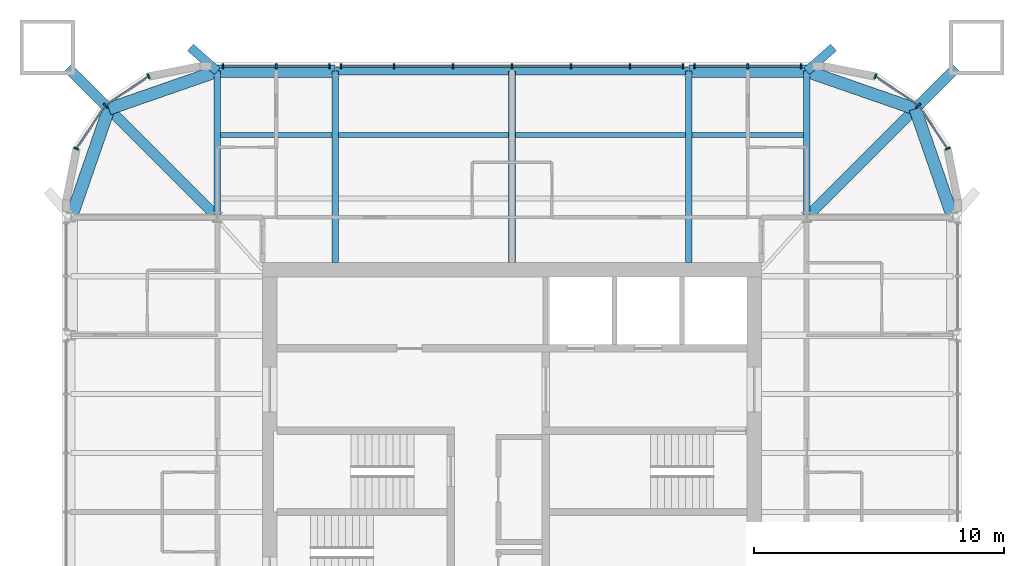
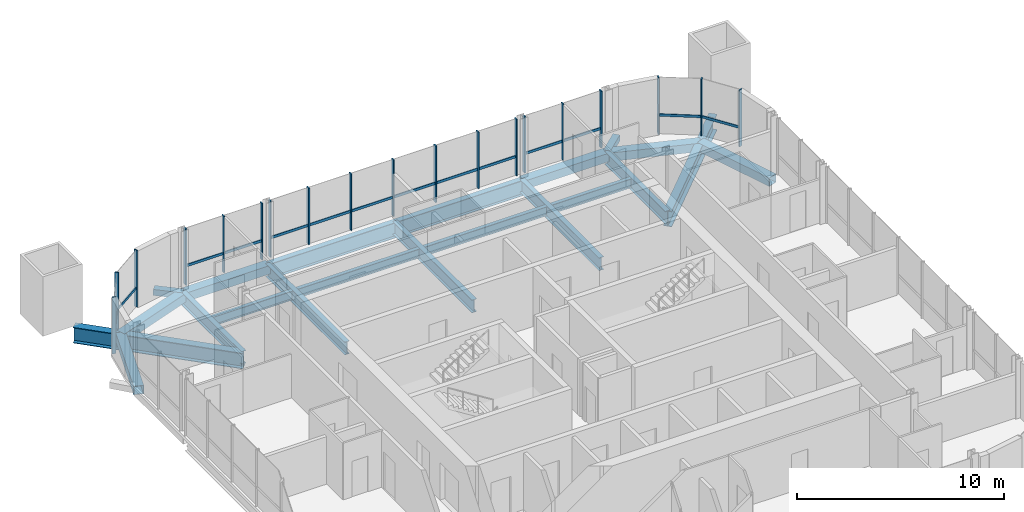
# One storey, part 5 of 12: 33 members, 20 beams, 5 elements without a shape of their own.
"""IFC4 building model written with IfcOpenShell, lengths in metres."""

from ifc_helpers import new_model, si_unit, direction, frame, origin, origin_2d, place, context, subcontext, project, spatial, rectangle, hollow_rectangle, i_section, extrude, material, material_profile, profile_set, type_object, element, aggregate, save


model = new_model("IFC4")

# Units and contexts
model_context = context("Model", 3, precision=1e-05, world=origin(), true_north=direction((0.0, 1.0)))
body_context = subcontext(model_context, "Body", "Model", "MODEL_VIEW")
ifc_project = project(units=[si_unit("LENGTHUNIT", "METRE"), si_unit("AREAUNIT", "SQUARE_METRE"), si_unit("VOLUMEUNIT", "CUBIC_METRE"), si_unit("PLANEANGLEUNIT", "RADIAN"), si_unit("MASSUNIT", "GRAM", prefix="KILO")], contexts=[model_context])

# Site, building, storey
site_placement = place(None, origin())
site = spatial("IfcSite", under=ifc_project, at=site_placement, CompositionType="ELEMENT")
building_placement = place(site_placement, origin())
building = spatial("IfcBuilding", under=site, at=building_placement, Name="Turquesa Mirador Hotel Tower", CompositionType="ELEMENT")
storey_placement = place(building_placement, frame((0.0, 0.0, 233.699951171875)))
storey = spatial("IfcBuildingStorey", under=building, at=storey_placement, Name="L63", CompositionType="ELEMENT", Elevation=233.699951171875)

# Beams
ifc_material_1 = material(Name="Steel ASTM A572 Grade 50", Category="steel")
ifc_material_profile_1 = material_profile(ifc_material_1, hollow_rectangle(XDim=0.5, YDim=0.5, WallThickness=0.01611328125, at=origin_2d()), Name="BOX500X500X16")
ifc_profile_set_1 = profile_set([ifc_material_profile_1], Name="Steel ASTM A572 Grade 50")
beam_type_1 = type_object("IfcBeamType", Name="BEAM BOX500X500X16", PredefinedType="BEAM", material=ifc_profile_set_1)
for number, where, z_axis, x_axis, name in (
    (1, (43.199951171875, 62.64990234375, -0.419921875), (1.0, 0.0, 0.0), (0.0, 1.0, 0.0), "EB-L63-N-L"),
    (2, (62.080078125, 62.64990234375, -0.419921875), (1.0, 0.0, 0.0), (0.0, 1.0, 0.0), "EB-L63-N-R"),
):
    element("IfcBeam", number, at=place(storey_placement, frame(where, z_axis=z_axis, x_axis=x_axis)), inside=storey, type_object=beam_type_1, Name=name, PredefinedType="BEAM", context=body_context, shape_type="SweptSolid", body=[
        extrude(hollow_rectangle(XDim=0.5, YDim=0.5, WallThickness=0.01611328125, at=origin_2d()), origin(), (0.0, 0.0, 1.0), 4.719970703125),
    ])
for number, where, z_axis, x_axis, name in (
    (3, (72.64990234375, 56.800048828125, -0.419921875), (-0.328170356092, 0.944618556552, 0.0), (-0.944618556552, -0.328170356092, 0.0), "KE-L63-1-0"),
    (4, (71.1416015625, 61.1416015625, -0.419921875), (-0.944618556552, 0.328170356092, 0.0), (-0.328170356092, -0.944618556552, 0.0), "KE-L63-1-1"),
    (5, (37.35009765625, 56.800048828125, -0.419921875), (0.328170356092, 0.944618556552, 0.0), (-0.944618556552, 0.328170356092, 0.0), "KE-L63-2-0"),
    (6, (38.8583984375, 61.1416015625, -0.419921875), (0.944618556552, 0.328170356092, 0.0), (-0.328170356092, 0.944618556552, 0.0), "KE-L63-2-1"),
):
    element("IfcBeam", number, at=place(storey_placement, frame(where, z_axis=z_axis, x_axis=x_axis)), inside=storey, type_object=beam_type_1, Name=name, PredefinedType="BEAM", context=body_context, shape_type="SweptSolid", body=[
        extrude(hollow_rectangle(XDim=0.5, YDim=0.5, WallThickness=0.01611328125, at=origin_2d()), origin(), (0.0, 0.0, 1.0), 4.59619140625),
    ])
ifc_material_2 = material(Name="Steel ASTM A992 Grade 50", Category="steel")
ifc_material_profile_2 = material_profile(ifc_material_2, i_section(OverallWidth=0.209228515625, OverallDepth=0.533447265625, WebThickness=0.01025390625, FlangeThickness=0.015625, at=origin_2d()), Name="W21X62")
ifc_profile_set_2 = profile_set([ifc_material_profile_2], Name="Steel ASTM A992 Grade 50")
beam_type_2 = type_object("IfcBeamType", Name="BEAM W21X62", PredefinedType="BEAM", material=ifc_profile_set_2)
beam_1_placement = place(storey_placement, frame((43.333251953125, 60.10009765625, -0.436767578125), z_axis=(1.0, 0.0, 0.0), x_axis=(0.0, 1.0, 0.0)))
element("IfcBeam", 7, at=beam_1_placement, inside=storey, type_object=beam_type_2, Name="IB-L63-N-2-0", PredefinedType="BEAM", context=body_context, shape_type="SweptSolid", body=[
    extrude(i_section(OverallWidth=0.209228515625, OverallDepth=0.533447265625, WebThickness=0.01025390625, FlangeThickness=0.015625, at=origin_2d()), origin(), (0.0, 0.0, 1.0), 4.453369140625),
])
for number, where, z_axis, x_axis, name in (
    (8, (48.053466796875, 60.10009765625, -0.436767578125), (1.0, 0.0, 0.0), (0.0, 1.0, 0.0), "IB-L63-N-2-1"),
    (9, (55.13330078125, 60.10009765625, -0.436767578125), (1.0, 0.0, 0.0), (0.0, 1.0, 0.0), "IB-L63-N-2-2"),
):
    element("IfcBeam", number, at=place(storey_placement, frame(where, z_axis=z_axis, x_axis=x_axis)), inside=storey, type_object=beam_type_2, Name=name, PredefinedType="BEAM", context=body_context, shape_type="SweptSolid", body=[
        extrude(i_section(OverallWidth=0.209228515625, OverallDepth=0.533447265625, WebThickness=0.01025390625, FlangeThickness=0.015625, at=origin_2d()), origin(), (0.0, 0.0, 1.0), 6.813232421875),
    ])
beam_2_placement = place(storey_placement, frame((62.21337890625, 60.10009765625, -0.436767578125), z_axis=(1.0, 0.0, 0.0), x_axis=(0.0, 1.0, 0.0)))
element("IfcBeam", 10, at=beam_2_placement, inside=storey, type_object=beam_type_2, Name="IB-L63-N-2-3", PredefinedType="BEAM", context=body_context, shape_type="SweptSolid", body=[
    extrude(i_section(OverallWidth=0.209228515625, OverallDepth=0.533447265625, WebThickness=0.01025390625, FlangeThickness=0.015625, at=origin_2d()), origin(), (0.0, 0.0, 1.0), 4.453369140625),
])
ifc_material_3 = material(Name="Steel ASTM A992 Grade 50", Category="steel")
ifc_material_profile_3 = material_profile(ifc_material_3, i_section(OverallWidth=0.2666015625, OverallDepth=0.7568359375, WebThickness=0.013916015625, FlangeThickness=0.019287109375, at=origin_2d()), Name="W30X108")
ifc_profile_set_3 = profile_set([ifc_material_profile_3], Name="Steel ASTM A992 Grade 50")
beam_type_3 = type_object("IfcBeamType", Name="BEAM W30X108", PredefinedType="BEAM", material=ifc_profile_set_3)
for number, where, z_axis, x_axis, name in (
    (11, (47.919921875, 62.64990234375, -0.54833984375), (0.0, -1.0, 0.0), (1.0, 0.0, 0.0), "GD-L63-N--7.08"),
    (12, (62.080078125, 62.64990234375, -0.54833984375), (0.0, -1.0, 0.0), (1.0, 0.0, 0.0), "GD-L63-N-+7.08"),
    (13, (55.0, 62.64990234375, -0.54833984375), (0.0, -1.0, 0.0), (1.0, 0.0, 0.0), "GD-L63-N-+0.00"),
):
    element("IfcBeam", number, at=place(storey_placement, frame(where, z_axis=z_axis, x_axis=x_axis)), inside=storey, type_object=beam_type_3, Name=name, PredefinedType="BEAM", context=body_context, shape_type="SweptSolid", body=[
        extrude(i_section(OverallWidth=0.2666015625, OverallDepth=0.7568359375, WebThickness=0.013916015625, FlangeThickness=0.019287109375, at=origin_2d()), origin(), (0.0, 0.0, 1.0), 7.64990234375),
    ])
for number, where, z_axis, x_axis, name in (
    (14, (43.199951171875, 62.64990234375, -0.54833984375), (0.0, -1.0, 0.0), (1.0, 0.0, 0.0), "GK-L63-N--11.80"),
    (15, (66.800048828125, 62.64990234375, -0.54833984375), (0.0, -1.0, 0.0), (1.0, 0.0, 0.0), "GK-L63-N-+11.80"),
):
    element("IfcBeam", number, at=place(storey_placement, frame(where, z_axis=z_axis, x_axis=x_axis)), inside=storey, type_object=beam_type_3, Name=name, PredefinedType="BEAM", context=body_context, shape_type="SweptSolid", body=[
        extrude(i_section(OverallWidth=0.2666015625, OverallDepth=0.7568359375, WebThickness=0.013916015625, FlangeThickness=0.019287109375, at=origin_2d()), origin(), (0.0, 0.0, 1.0), 5.849853515625),
    ])
ifc_material_4 = material(Name="Steel ASTM A992 Grade 50", Category="steel")
ifc_material_profile_4 = material_profile(ifc_material_4, i_section(OverallWidth=0.3046875, OverallDepth=0.911865234375, WebThickness=0.015869140625, FlangeThickness=0.02392578125, at=origin_2d()), Name="W36X150")
ifc_profile_set_4 = profile_set([ifc_material_profile_4], Name="Steel ASTM A992 Grade 50")
beam_type_4 = type_object("IfcBeamType", Name="BEAM W36X150", PredefinedType="BEAM", material=ifc_profile_set_4)
beam_3_placement = place(storey_placement, frame((47.919921875, 62.64990234375, -0.6259765625), z_axis=(1.0, 0.0, 0.0), x_axis=(0.0, 1.0, 0.0)))
element("IfcBeam", 16, at=beam_3_placement, inside=storey, type_object=beam_type_4, Name="EB-L63-N-C", PredefinedType="BEAM", context=body_context, shape_type="SweptSolid", body=[
    extrude(i_section(OverallWidth=0.3046875, OverallDepth=0.911865234375, WebThickness=0.015869140625, FlangeThickness=0.02392578125, at=origin_2d()), origin(), (0.0, 0.0, 1.0), 14.16015625),
])
ifc_material_5 = material(Name="Steel ASTM A992 Grade 50", Category="steel")
ifc_material_profile_5 = material_profile(ifc_material_5, i_section(OverallWidth=0.419189453125, OverallDepth=0.927001953125, WebThickness=0.019287109375, FlangeThickness=0.031982421875, at=origin_2d()), Name="W36X231")
ifc_profile_set_5 = profile_set([ifc_material_profile_5], Name="Steel ASTM A992 Grade 50")
beam_type_5 = type_object("IfcBeamType", Name="BEAM W36X231", PredefinedType="BEAM", material=ifc_profile_set_5)
for number, where, z_axis, x_axis, name in (
    (17, (66.800048828125, 56.800048828125, -0.633544921875), (0.707106781187, 0.707106781187, 0.0), (-0.707106781187, 0.707106781187, 0.0), "KD-L63-1"),
    (18, (43.199951171875, 56.800048828125, -0.633544921875), (-0.707106781187, 0.707106781187, 0.0), (-0.707106781187, -0.707106781187, 0.0), "KD-L63-2"),
):
    element("IfcBeam", number, at=place(storey_placement, frame(where, z_axis=z_axis, x_axis=x_axis)), inside=storey, type_object=beam_type_5, Name=name, PredefinedType="BEAM", context=body_context, shape_type="SweptSolid", body=[
        extrude(i_section(OverallWidth=0.419189453125, OverallDepth=0.927001953125, WebThickness=0.019287109375, FlangeThickness=0.031982421875, at=origin_2d()), origin(), (0.0, 0.0, 1.0), 8.46240234375),
    ])
ifc_material_6 = material(Name="Steel ASTM A500 Grade C", Category="steel")
ifc_material_profile_6 = material_profile(ifc_material_6, hollow_rectangle(XDim=0.355712890625, YDim=0.355712890625, WallThickness=0.0146484375, at=origin_2d()), Name="HSS14X14X5/8")
ifc_profile_set_6 = profile_set([ifc_material_profile_6], Name="Steel ASTM A500 Grade C")
beam_type_6 = type_object("IfcBeamType", Name="BRACE STRUT HSS14X14X5/8", PredefinedType="BEAM", material=ifc_profile_set_6)
for number, where, z_axis, x_axis, name in (
    (19, (42.123046875, 63.60009765625, -0.34765625), (0.749842816254, -0.661616014704, 0.0), (0.661616014704, 0.749842816254, 0.0), "Brace strut"),
    (20, (67.876953125, 63.60009765625, -0.34765625), (-0.749842816254, -0.661616014704, 0.0), (0.661616014704, -0.749842816254, 0.0), "Brace strut"),
):
    element("IfcBeam", number, at=place(storey_placement, frame(where, z_axis=z_axis, x_axis=x_axis)), inside=storey, type_object=beam_type_6, Name=name, PredefinedType="BEAM", context=body_context, shape_type="SweptSolid", body=[
        extrude(hollow_rectangle(XDim=0.355712890625, YDim=0.355712890625, WallThickness=0.0146484375, at=origin_2d()), origin(), (0.0, 0.0, 1.0), 1.436279296875),
    ])

# Curtain wall, members
ifc_material_7 = material(Name="Aluminium extrusion", Category="aluminium")
curtain_wall_type = type_object("IfcCurtainWallType", Name="CW-4 SUITE FRITTED CURTAIN WALL", PredefinedType="USERDEFINED", material=ifc_material_7)
curtain_wall_1_placement = place(storey_placement, origin())
curtain_wall_1 = element("IfcCurtainWall", 21, at=curtain_wall_1_placement, inside=storey, type_object=curtain_wall_type, Name="CW-4 SUITE FRITTED CURTAIN WALL L63", ObjectType="CURTAIN WALL", PredefinedType="USERDEFINED")
ifc_material_8 = material(Name="Aluminium extrusion", Category="aluminium")
ifc_material_profile_7 = material_profile(ifc_material_8, rectangle(XDim=0.06494140625, YDim=0.199951171875, at=origin_2d()), Name="MULLION 65X200")
ifc_profile_set_7 = profile_set([ifc_material_profile_7], Name="Aluminium extrusion")
member_type_1 = type_object("IfcMemberType", Name="CW MULLION 65X200", PredefinedType="MULLION", material=ifc_profile_set_7)
member_1_placement = place(storey_placement, frame((72.44287109375, 59.54736328125, 0.0), z_axis=(0.0, 0.0, 1.0), x_axis=(-0.382683432365, 0.923879532511, 0.0)))
member_1 = element("IfcMember", 22, at=member_1_placement, type_object=member_type_1, Name="Mullion", PredefinedType="MULLION", context=body_context, shape_type="SweptSolid", body=[
    extrude(rectangle(XDim=0.06494140625, YDim=0.199951171875, at=origin_2d()), origin(), (0.0, 0.0, 1.0), 3.330078125),
])
member_2_placement = place(storey_placement, frame((71.282958984375, 61.282958984375, 0.0), z_axis=(0.0, 0.0, 1.0), x_axis=(-0.707106781187, 0.707106781187, 0.0)))
member_2 = element("IfcMember", 23, at=member_2_placement, type_object=member_type_1, Name="Mullion", PredefinedType="MULLION", context=body_context, shape_type="SweptSolid", body=[
    extrude(rectangle(XDim=0.06494140625, YDim=0.199951171875, at=origin_2d()), origin(), (0.0, 0.0, 1.0), 3.330078125),
])
member_3_placement = place(storey_placement, frame((69.54736328125, 62.44287109375, 0.0), z_axis=(0.0, 0.0, 1.0), x_axis=(-0.923879532511, 0.382683432365, 0.0)))
member_3 = element("IfcMember", 24, at=member_3_placement, type_object=member_type_1, Name="Mullion", PredefinedType="MULLION", context=body_context, shape_type="SweptSolid", body=[
    extrude(rectangle(XDim=0.06494140625, YDim=0.199951171875, at=origin_2d()), origin(), (0.0, 0.0, 1.0), 3.330078125),
])

curtain_wall_2_placement = place(storey_placement, origin())
curtain_wall_2 = element("IfcCurtainWall", 25, at=curtain_wall_2_placement, inside=storey, type_object=curtain_wall_type, Name="CW-4 SUITE FRITTED CURTAIN WALL L63", ObjectType="CURTAIN WALL", PredefinedType="USERDEFINED")
member_4_placement = place(storey_placement, frame((66.566162109375, 62.85009765625, 0.0), z_axis=(0.0, 0.0, 1.0), x_axis=(-1.0, 0.0, 0.0)))
member_4 = element("IfcMember", 26, at=member_4_placement, type_object=member_type_1, Name="Mullion", PredefinedType="MULLION", context=body_context, shape_type="SweptSolid", body=[
    extrude(rectangle(XDim=0.06494140625, YDim=0.199951171875, at=origin_2d()), origin(), (0.0, 0.0, 1.0), 3.330078125),
])
member_5_placement = place(storey_placement, frame((64.43994140625, 62.85009765625, 0.0), z_axis=(0.0, 0.0, 1.0), x_axis=(-1.0, 0.0, 0.0)))
member_5 = element("IfcMember", 27, at=member_5_placement, type_object=member_type_1, Name="Mullion", PredefinedType="MULLION", context=body_context, shape_type="SweptSolid", body=[
    extrude(rectangle(XDim=0.06494140625, YDim=0.199951171875, at=origin_2d()), origin(), (0.0, 0.0, 1.0), 3.330078125),
])
member_6_placement = place(storey_placement, frame((62.31396484375, 62.85009765625, 0.0), z_axis=(0.0, 0.0, 1.0), x_axis=(-1.0, 0.0, 0.0)))
member_6 = element("IfcMember", 28, at=member_6_placement, type_object=member_type_1, Name="Mullion", PredefinedType="MULLION", context=body_context, shape_type="SweptSolid", body=[
    extrude(rectangle(XDim=0.06494140625, YDim=0.199951171875, at=origin_2d()), origin(), (0.0, 0.0, 1.0), 3.330078125),
])

curtain_wall_3_placement = place(storey_placement, origin())
curtain_wall_3 = element("IfcCurtainWall", 29, at=curtain_wall_3_placement, inside=storey, type_object=curtain_wall_type, Name="CW-4 SUITE FRITTED CURTAIN WALL L63", ObjectType="CURTAIN WALL", PredefinedType="USERDEFINED")
member_7_placement = place(storey_placement, frame((61.84619140625, 62.85009765625, 0.0), z_axis=(0.0, 0.0, 1.0), x_axis=(-1.0, 0.0, 0.0)))
member_7 = element("IfcMember", 30, at=member_7_placement, type_object=member_type_1, Name="Mullion", PredefinedType="MULLION", context=body_context, shape_type="SweptSolid", body=[
    extrude(rectangle(XDim=0.06494140625, YDim=0.199951171875, at=origin_2d()), origin(), (0.0, 0.0, 1.0), 3.330078125),
])
member_8_placement = place(storey_placement, frame((59.719970703125, 62.85009765625, 0.0), z_axis=(0.0, 0.0, 1.0), x_axis=(-1.0, 0.0, 0.0)))
member_8 = element("IfcMember", 31, at=member_8_placement, type_object=member_type_1, Name="Mullion", PredefinedType="MULLION", context=body_context, shape_type="SweptSolid", body=[
    extrude(rectangle(XDim=0.06494140625, YDim=0.199951171875, at=origin_2d()), origin(), (0.0, 0.0, 1.0), 3.330078125),
])
member_9_placement = place(storey_placement, frame((57.360107421875, 62.85009765625, 0.0), z_axis=(0.0, 0.0, 1.0), x_axis=(-1.0, 0.0, 0.0)))
member_9 = element("IfcMember", 32, at=member_9_placement, type_object=member_type_1, Name="Mullion", PredefinedType="MULLION", context=body_context, shape_type="SweptSolid", body=[
    extrude(rectangle(XDim=0.06494140625, YDim=0.199951171875, at=origin_2d()), origin(), (0.0, 0.0, 1.0), 3.330078125),
])
member_10_placement = place(storey_placement, frame((55.0, 62.85009765625, 0.0), z_axis=(0.0, 0.0, 1.0), x_axis=(-1.0, 0.0, 0.0)))
member_10 = element("IfcMember", 33, at=member_10_placement, type_object=member_type_1, Name="Mullion", PredefinedType="MULLION", context=body_context, shape_type="SweptSolid", body=[
    extrude(rectangle(XDim=0.06494140625, YDim=0.199951171875, at=origin_2d()), origin(), (0.0, 0.0, 1.0), 3.330078125),
])
member_11_placement = place(storey_placement, frame((52.639892578125, 62.85009765625, 0.0), z_axis=(0.0, 0.0, 1.0), x_axis=(-1.0, 0.0, 0.0)))
member_11 = element("IfcMember", 34, at=member_11_placement, type_object=member_type_1, Name="Mullion", PredefinedType="MULLION", context=body_context, shape_type="SweptSolid", body=[
    extrude(rectangle(XDim=0.06494140625, YDim=0.199951171875, at=origin_2d()), origin(), (0.0, 0.0, 1.0), 3.330078125),
])
member_12_placement = place(storey_placement, frame((50.280029296875, 62.85009765625, 0.0), z_axis=(0.0, 0.0, 1.0), x_axis=(-1.0, 0.0, 0.0)))
member_12 = element("IfcMember", 35, at=member_12_placement, type_object=member_type_1, Name="Mullion", PredefinedType="MULLION", context=body_context, shape_type="SweptSolid", body=[
    extrude(rectangle(XDim=0.06494140625, YDim=0.199951171875, at=origin_2d()), origin(), (0.0, 0.0, 1.0), 3.330078125),
])
member_13_placement = place(storey_placement, frame((48.15380859375, 62.85009765625, 0.0), z_axis=(0.0, 0.0, 1.0), x_axis=(-1.0, 0.0, 0.0)))
member_13 = element("IfcMember", 36, at=member_13_placement, type_object=member_type_1, Name="Mullion", PredefinedType="MULLION", context=body_context, shape_type="SweptSolid", body=[
    extrude(rectangle(XDim=0.06494140625, YDim=0.199951171875, at=origin_2d()), origin(), (0.0, 0.0, 1.0), 3.330078125),
])

curtain_wall_4_placement = place(storey_placement, origin())
curtain_wall_4 = element("IfcCurtainWall", 37, at=curtain_wall_4_placement, inside=storey, type_object=curtain_wall_type, Name="CW-4 SUITE FRITTED CURTAIN WALL L63", ObjectType="CURTAIN WALL", PredefinedType="USERDEFINED")
member_14_placement = place(storey_placement, frame((47.68603515625, 62.85009765625, 0.0), z_axis=(0.0, 0.0, 1.0), x_axis=(-1.0, 0.0, 0.0)))
member_14 = element("IfcMember", 38, at=member_14_placement, type_object=member_type_1, Name="Mullion", PredefinedType="MULLION", context=body_context, shape_type="SweptSolid", body=[
    extrude(rectangle(XDim=0.06494140625, YDim=0.199951171875, at=origin_2d()), origin(), (0.0, 0.0, 1.0), 3.330078125),
])
member_15_placement = place(storey_placement, frame((45.56005859375, 62.85009765625, 0.0), z_axis=(0.0, 0.0, 1.0), x_axis=(-1.0, 0.0, 0.0)))
member_15 = element("IfcMember", 39, at=member_15_placement, type_object=member_type_1, Name="Mullion", PredefinedType="MULLION", context=body_context, shape_type="SweptSolid", body=[
    extrude(rectangle(XDim=0.06494140625, YDim=0.199951171875, at=origin_2d()), origin(), (0.0, 0.0, 1.0), 3.330078125),
])
member_16_placement = place(storey_placement, frame((43.433837890625, 62.85009765625, 0.0), z_axis=(0.0, 0.0, 1.0), x_axis=(-1.0, 0.0, 0.0)))
member_16 = element("IfcMember", 40, at=member_16_placement, type_object=member_type_1, Name="Mullion", PredefinedType="MULLION", context=body_context, shape_type="SweptSolid", body=[
    extrude(rectangle(XDim=0.06494140625, YDim=0.199951171875, at=origin_2d()), origin(), (0.0, 0.0, 1.0), 3.330078125),
])

curtain_wall_5_placement = place(storey_placement, origin())
curtain_wall_5 = element("IfcCurtainWall", 41, at=curtain_wall_5_placement, inside=storey, type_object=curtain_wall_type, Name="CW-4 SUITE FRITTED CURTAIN WALL L63", ObjectType="CURTAIN WALL", PredefinedType="USERDEFINED")
member_17_placement = place(storey_placement, frame((40.45263671875, 62.44287109375, 0.0), z_axis=(0.0, 0.0, 1.0), x_axis=(-0.923879532511, -0.382683432365, 0.0)))
member_17 = element("IfcMember", 42, at=member_17_placement, type_object=member_type_1, Name="Mullion", PredefinedType="MULLION", context=body_context, shape_type="SweptSolid", body=[
    extrude(rectangle(XDim=0.06494140625, YDim=0.199951171875, at=origin_2d()), origin(), (0.0, 0.0, 1.0), 3.330078125),
])
member_18_placement = place(storey_placement, frame((38.717041015625, 61.282958984375, 0.0), z_axis=(0.0, 0.0, 1.0), x_axis=(-0.707106781187, -0.707106781187, 0.0)))
member_18 = element("IfcMember", 43, at=member_18_placement, type_object=member_type_1, Name="Mullion", PredefinedType="MULLION", context=body_context, shape_type="SweptSolid", body=[
    extrude(rectangle(XDim=0.06494140625, YDim=0.199951171875, at=origin_2d()), origin(), (0.0, 0.0, 1.0), 3.330078125),
])
member_19_placement = place(storey_placement, frame((37.55712890625, 59.54736328125, 0.0), z_axis=(0.0, 0.0, 1.0), x_axis=(-0.382683432365, -0.923879532511, 0.0)))
member_19 = element("IfcMember", 44, at=member_19_placement, type_object=member_type_1, Name="Mullion", PredefinedType="MULLION", context=body_context, shape_type="SweptSolid", body=[
    extrude(rectangle(XDim=0.06494140625, YDim=0.199951171875, at=origin_2d()), origin(), (0.0, 0.0, 1.0), 3.330078125),
])

# Member
ifc_material_9 = material(Name="Aluminium extrusion", Category="aluminium")
ifc_material_profile_8 = material_profile(ifc_material_9, rectangle(XDim=0.06494140625, YDim=0.14990234375, at=origin_2d()), Name="TRANSOM 65X150")
ifc_profile_set_8 = profile_set([ifc_material_profile_8], Name="Aluminium extrusion")
member_type_2 = type_object("IfcMemberType", Name="CW TRANSOM 65X150", PredefinedType="USERDEFINED", material=ifc_profile_set_8)
member_20_placement = place(storey_placement, frame((72.4248046875, 59.574462890625, 1.10009765625), z_axis=(-0.555619095835, 0.831436961136, 0.0), x_axis=(-0.831436961136, -0.555619095835, 0.0)))
member_20 = element("IfcMember", 45, at=member_20_placement, type_object=member_type_2, Name="Transom", ObjectType="TRANSOM", PredefinedType="USERDEFINED", context=body_context, shape_type="SweptSolid", body=[
    extrude(rectangle(XDim=0.06494140625, YDim=0.14990234375, at=origin_2d()), origin(), (0.0, 0.0, 1.0), 2.0224609375),
])

member_21_placement = place(storey_placement, frame((71.256103515625, 61.301025390625, 1.10009765625), z_axis=(-0.831436961136, 0.555619095835, 0.0), x_axis=(-0.555619095835, -0.831436961136, 0.0)))
member_21 = element("IfcMember", 46, at=member_21_placement, type_object=member_type_2, Name="Transom", ObjectType="TRANSOM", PredefinedType="USERDEFINED", context=body_context, shape_type="SweptSolid", body=[
    extrude(rectangle(XDim=0.06494140625, YDim=0.14990234375, at=origin_2d()), origin(), (0.0, 0.0, 1.0), 2.0224609375),
])

aggregate(curtain_wall_1, [member_1, member_2, member_3, member_20, member_21])

member_22_placement = place(storey_placement, frame((66.53369140625, 62.85009765625, 1.10009765625), z_axis=(-1.0, 0.0, 0.0), x_axis=(0.0, -1.0, 0.0)))
member_22 = element("IfcMember", 47, at=member_22_placement, type_object=member_type_2, Name="Transom", ObjectType="TRANSOM", PredefinedType="USERDEFINED", context=body_context, shape_type="SweptSolid", body=[
    extrude(rectangle(XDim=0.06494140625, YDim=0.14990234375, at=origin_2d()), origin(), (0.0, 0.0, 1.0), 2.061279296875),
])

member_23_placement = place(storey_placement, frame((64.407470703125, 62.85009765625, 1.10009765625), z_axis=(-1.0, 0.0, 0.0), x_axis=(0.0, -1.0, 0.0)))
member_23 = element("IfcMember", 48, at=member_23_placement, type_object=member_type_2, Name="Transom", ObjectType="TRANSOM", PredefinedType="USERDEFINED", context=body_context, shape_type="SweptSolid", body=[
    extrude(rectangle(XDim=0.06494140625, YDim=0.14990234375, at=origin_2d()), origin(), (0.0, 0.0, 1.0), 2.06103515625),
])

aggregate(curtain_wall_2, [member_4, member_5, member_6, member_22, member_23])

member_24_placement = place(storey_placement, frame((61.813720703125, 62.85009765625, 1.10009765625), z_axis=(-1.0, 0.0, 0.0), x_axis=(0.0, -1.0, 0.0)))
member_24 = element("IfcMember", 49, at=member_24_placement, type_object=member_type_2, Name="Transom", ObjectType="TRANSOM", PredefinedType="USERDEFINED", context=body_context, shape_type="SweptSolid", body=[
    extrude(rectangle(XDim=0.06494140625, YDim=0.14990234375, at=origin_2d()), origin(), (0.0, 0.0, 1.0), 2.061279296875),
])

member_25_placement = place(storey_placement, frame((59.6875, 62.85009765625, 1.10009765625), z_axis=(-1.0, 0.0, 0.0), x_axis=(0.0, -1.0, 0.0)))
member_25 = element("IfcMember", 50, at=member_25_placement, type_object=member_type_2, Name="Transom", ObjectType="TRANSOM", PredefinedType="USERDEFINED", context=body_context, shape_type="SweptSolid", body=[
    extrude(rectangle(XDim=0.06494140625, YDim=0.14990234375, at=origin_2d()), origin(), (0.0, 0.0, 1.0), 2.294921875),
])

member_26_placement = place(storey_placement, frame((57.327392578125, 62.85009765625, 1.10009765625), z_axis=(-1.0, 0.0, 0.0), x_axis=(0.0, -1.0, 0.0)))
member_26 = element("IfcMember", 51, at=member_26_placement, type_object=member_type_2, Name="Transom", ObjectType="TRANSOM", PredefinedType="USERDEFINED", context=body_context, shape_type="SweptSolid", body=[
    extrude(rectangle(XDim=0.06494140625, YDim=0.14990234375, at=origin_2d()), origin(), (0.0, 0.0, 1.0), 2.294921875),
])

member_27_placement = place(storey_placement, frame((54.967529296875, 62.85009765625, 1.10009765625), z_axis=(-1.0, 0.0, 0.0), x_axis=(0.0, -1.0, 0.0)))
member_27 = element("IfcMember", 52, at=member_27_placement, type_object=member_type_2, Name="Transom", ObjectType="TRANSOM", PredefinedType="USERDEFINED", context=body_context, shape_type="SweptSolid", body=[
    extrude(rectangle(XDim=0.06494140625, YDim=0.14990234375, at=origin_2d()), origin(), (0.0, 0.0, 1.0), 2.294921875),
])

member_28_placement = place(storey_placement, frame((52.607421875, 62.85009765625, 1.10009765625), z_axis=(-1.0, 0.0, 0.0), x_axis=(0.0, -1.0, 0.0)))
member_28 = element("IfcMember", 53, at=member_28_placement, type_object=member_type_2, Name="Transom", ObjectType="TRANSOM", PredefinedType="USERDEFINED", context=body_context, shape_type="SweptSolid", body=[
    extrude(rectangle(XDim=0.06494140625, YDim=0.14990234375, at=origin_2d()), origin(), (0.0, 0.0, 1.0), 2.294921875),
])

member_29_placement = place(storey_placement, frame((50.24755859375, 62.85009765625, 1.10009765625), z_axis=(-1.0, 0.0, 0.0), x_axis=(0.0, -1.0, 0.0)))
member_29 = element("IfcMember", 54, at=member_29_placement, type_object=member_type_2, Name="Transom", ObjectType="TRANSOM", PredefinedType="USERDEFINED", context=body_context, shape_type="SweptSolid", body=[
    extrude(rectangle(XDim=0.06494140625, YDim=0.14990234375, at=origin_2d()), origin(), (0.0, 0.0, 1.0), 2.061279296875),
])

aggregate(curtain_wall_3, [member_7, member_8, member_9, member_10, member_11, member_12, member_13, member_24, member_25, member_26, member_27, member_28, member_29])

member_30_placement = place(storey_placement, frame((47.653564453125, 62.85009765625, 1.10009765625), z_axis=(-1.0, 0.0, 0.0), x_axis=(0.0, -1.0, 0.0)))
member_30 = element("IfcMember", 55, at=member_30_placement, type_object=member_type_2, Name="Transom", ObjectType="TRANSOM", PredefinedType="USERDEFINED", context=body_context, shape_type="SweptSolid", body=[
    extrude(rectangle(XDim=0.06494140625, YDim=0.14990234375, at=origin_2d()), origin(), (0.0, 0.0, 1.0), 2.06103515625),
])

member_31_placement = place(storey_placement, frame((45.527587890625, 62.85009765625, 1.10009765625), z_axis=(-1.0, 0.0, 0.0), x_axis=(0.0, -1.0, 0.0)))
member_31 = element("IfcMember", 56, at=member_31_placement, type_object=member_type_2, Name="Transom", ObjectType="TRANSOM", PredefinedType="USERDEFINED", context=body_context, shape_type="SweptSolid", body=[
    extrude(rectangle(XDim=0.06494140625, YDim=0.14990234375, at=origin_2d()), origin(), (0.0, 0.0, 1.0), 2.061279296875),
])

aggregate(curtain_wall_4, [member_14, member_15, member_16, member_30, member_31])

member_32_placement = place(storey_placement, frame((40.425537109375, 62.4248046875, 1.10009765625), z_axis=(-0.831436961136, -0.555619095835, 0.0), x_axis=(0.555619095835, -0.831436961136, 0.0)))
member_32 = element("IfcMember", 57, at=member_32_placement, type_object=member_type_2, Name="Transom", ObjectType="TRANSOM", PredefinedType="USERDEFINED", context=body_context, shape_type="SweptSolid", body=[
    extrude(rectangle(XDim=0.06494140625, YDim=0.14990234375, at=origin_2d()), origin(), (0.0, 0.0, 1.0), 2.0224609375),
])

member_33_placement = place(storey_placement, frame((38.698974609375, 61.256103515625, 1.10009765625), z_axis=(-0.555619095835, -0.831436961136, 0.0), x_axis=(0.831436961136, -0.555619095835, 0.0)))
member_33 = element("IfcMember", 58, at=member_33_placement, type_object=member_type_2, Name="Transom", ObjectType="TRANSOM", PredefinedType="USERDEFINED", context=body_context, shape_type="SweptSolid", body=[
    extrude(rectangle(XDim=0.06494140625, YDim=0.14990234375, at=origin_2d()), origin(), (0.0, 0.0, 1.0), 2.0224609375),
])

aggregate(curtain_wall_5, [member_17, member_18, member_19, member_32, member_33])

save(model, "model.ifc")
